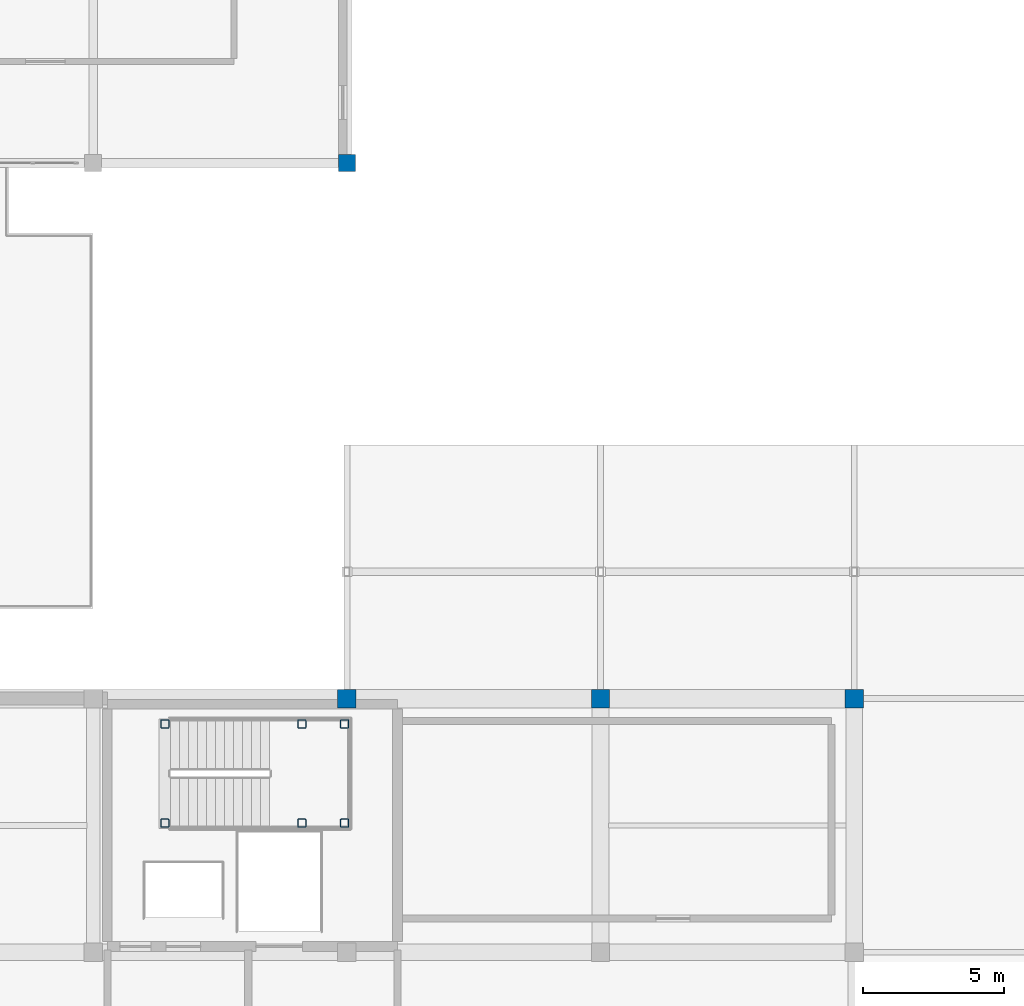
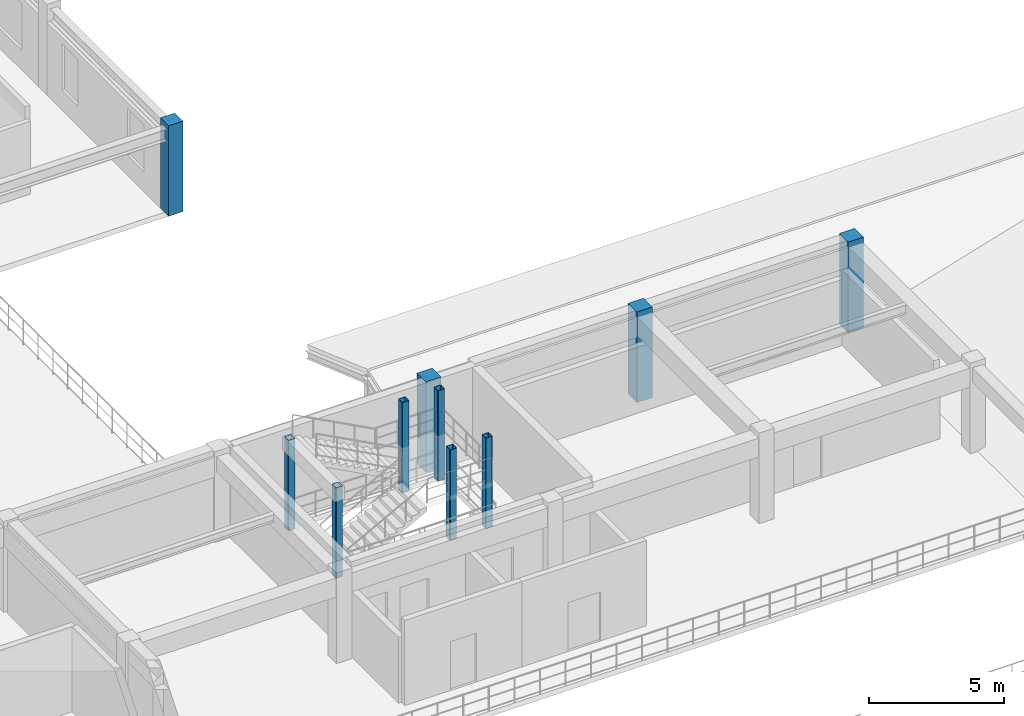
# One storey, part 6 of 80: 10 columns.
"""IFC4 building model written with IfcOpenShell, lengths in metres."""

from ifc_helpers import new_model, si_unit, direction, frame, origin, origin_2d, place, context, subcontext, project, spatial, rectangle, hollow_rectangle, extrude, material, material_profile, profile_set, type_object, element, save


model = new_model("IFC4")

# Units and contexts
model_context = context("Model", 3, precision=1e-05, world=origin(), true_north=direction((0.0, 1.0)))
body_context = subcontext(model_context, "Body", "Model", "MODEL_VIEW")
ifc_project = project(units=[si_unit("LENGTHUNIT", "METRE"), si_unit("AREAUNIT", "SQUARE_METRE"), si_unit("VOLUMEUNIT", "CUBIC_METRE"), si_unit("PLANEANGLEUNIT", "RADIAN"), si_unit("MASSUNIT", "GRAM", prefix="KILO")], contexts=[model_context])

# Site, building, storey
site_placement = place(None, origin())
site = spatial("IfcSite", under=ifc_project, at=site_placement, CompositionType="ELEMENT")
building_placement = place(site_placement, origin())
building = spatial("IfcBuilding", under=site, at=building_placement, Name="Miravela Opera House", CompositionType="ELEMENT")
storey_placement = place(building_placement, frame((0.0, 0.0, 17.679931640625)))
storey = spatial("IfcBuildingStorey", under=building, at=storey_placement, Name="L04", CompositionType="ELEMENT", Elevation=17.679931640625)

# Columns
ifc_material_1 = material(Name="Hollow structural steel ASTM A500 Gr. C", Category="steel")
ifc_material_profile_1 = material_profile(ifc_material_1, hollow_rectangle(XDim=0.300048828125, YDim=0.300048828125, WallThickness=0.01611328125, InnerFilletRadius=0.01611328125, OuterFilletRadius=0.031982421875, at=origin_2d()), Name="HSS300X300X16")
ifc_profile_set_1 = profile_set([ifc_material_profile_1])
column_type_1 = type_object("IfcColumnType", Name="STR-COL-HSS300", PredefinedType="COLUMN", material=ifc_profile_set_1)
for number, where, z_axis, x_axis, name in (
    (1, (110.5400390625, 70.580078125, 0.0), (0.0, 0.0, 1.0), (1.0, 0.0, 0.0), "Stair K3 Landing Support Column 1 (L04)"),
    (2, (110.5400390625, 74.10009765625, 0.0), (0.0, 0.0, 1.0), (1.0, 0.0, 0.0), "Stair K3 Landing Support Column 2 (L04)"),
    (3, (115.39990234375, 70.580078125, 0.0), (0.0, 0.0, 1.0), (1.0, 0.0, 0.0), "Stair K3 Landing Support Column 3 (L04)"),
    (4, (115.39990234375, 74.10009765625, 0.0), (0.0, 0.0, 1.0), (1.0, 0.0, 0.0), "Stair K3 Landing Support Column 4 (L04)"),
    (5, (116.919921875, 70.580078125, 0.0), (0.0, 0.0, 1.0), (1.0, 0.0, 0.0), "Stair K3 Landing Support Column 5 (L04)"),
    (6, (116.919921875, 74.10009765625, 0.0), (0.0, 0.0, 1.0), (1.0, 0.0, 0.0), "Stair K3 Landing Support Column 6 (L04)"),
):
    element("IfcColumn", number, at=place(storey_placement, frame(where, z_axis=z_axis, x_axis=x_axis)), inside=storey, type_object=column_type_1, Name=name, PredefinedType="COLUMN", context=body_context, shape_type="SweptSolid", body=[
        extrude(hollow_rectangle(XDim=0.300048828125, YDim=0.300048828125, WallThickness=0.01611328125, InnerFilletRadius=0.01611328125, OuterFilletRadius=0.031982421875, at=origin_2d()), origin(), (0.0, 0.0, 1.0), 4.080078125),
    ])
ifc_material_2 = material(Name="Concrete C35/45", Category="concrete")
ifc_material_profile_2 = material_profile(ifc_material_2, rectangle(XDim=0.60009765625, YDim=0.60009765625, at=origin_2d()), Name="RC-COL-600X600")
ifc_profile_set_2 = profile_set([ifc_material_profile_2])
column_type_2 = type_object("IfcColumnType", Name="STR-COL-RC600", PredefinedType="COLUMN", material=ifc_profile_set_2)
column_placement = place(storey_placement, frame((117.0, 94.0, 0.0), z_axis=(0.0, 0.0, 1.0), x_axis=(1.0, 0.0, 0.0)))
element("IfcColumn", 7, at=column_placement, inside=storey, type_object=column_type_2, Name="Column C-14K (L04)", PredefinedType="COLUMN", context=body_context, shape_type="SweptSolid", body=[
    extrude(rectangle(XDim=0.60009765625, YDim=0.60009765625, at=origin_2d()), origin(), (0.0, 0.0, 1.0), 4.080078125),
])
ifc_material_profile_3 = material_profile(ifc_material_2, rectangle(XDim=0.64990234375, YDim=0.64990234375, at=origin_2d()), Name="RC-COL-650X650")
ifc_profile_set_3 = profile_set([ifc_material_profile_3])
column_type_3 = type_object("IfcColumnType", Name="STR-COL-RC650", PredefinedType="COLUMN", material=ifc_profile_set_3)
for number, where, z_axis, x_axis, name in (
    (8, (117.0, 75.0, 0.0), (0.0, 0.0, 1.0), (1.0, 0.0, 0.0), "Column C-14I (L04)"),
    (9, (126.0, 75.0, 0.0), (0.0, 0.0, 1.0), (1.0, 0.0, 0.0), "Column C-15I (L04)"),
    (10, (135.0, 75.0, 0.0), (0.0, 0.0, 1.0), (1.0, 0.0, 0.0), "Column C-16I (L04)"),
):
    element("IfcColumn", number, at=place(storey_placement, frame(where, z_axis=z_axis, x_axis=x_axis)), inside=storey, type_object=column_type_3, Name=name, PredefinedType="COLUMN", context=body_context, shape_type="SweptSolid", body=[
        extrude(rectangle(XDim=0.64990234375, YDim=0.64990234375, at=origin_2d()), origin(), (0.0, 0.0, 1.0), 4.080078125),
    ])

save(model, "model.ifc")
